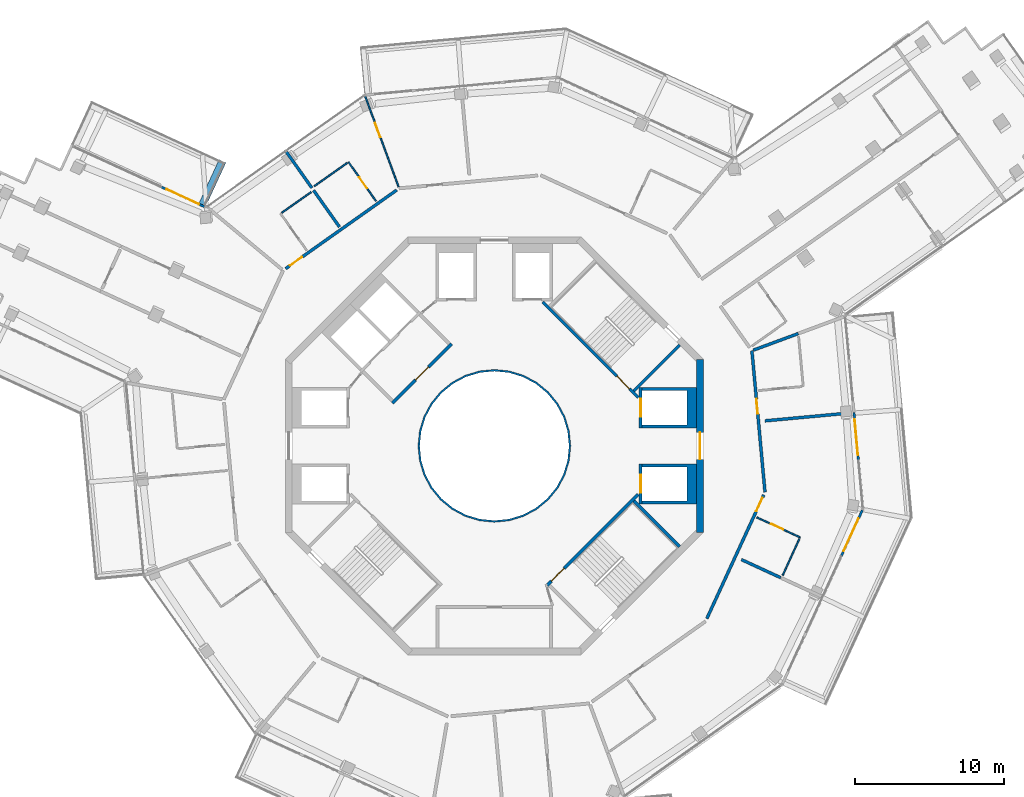
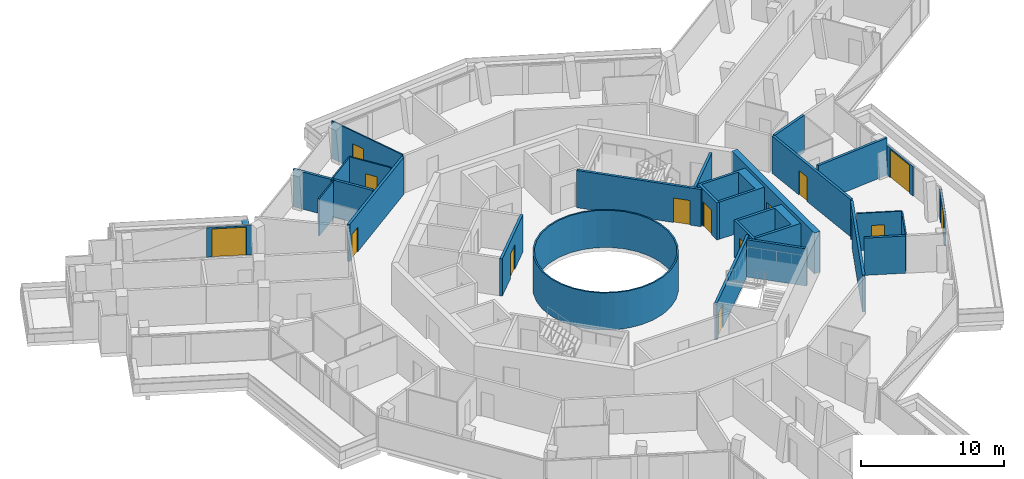
# One storey, part 20 of 25: 29 walls, 15 doors, 15 openings.
"""IFC4 building model written with IfcOpenShell, lengths in metres."""

import ifcopenshell
import ifcopenshell.guid

model = None  # the IFC model being written
_history = None  # IfcOwnerHistory: only IFC2X3 demands one
_inside = {}  # id of a spatial element -> (the spatial element, [elements in it])
_under = {}  # id of a project, library or spatial element -> (it, [spatial elements below it])
_declared = {}  # id of a project -> (the project, [libraries it declares])
_typed = {}  # id of a type object -> (the type object, [elements of that type])
_made_of = {}  # id of a material, layer set ... -> (it, [elements and type objects made of it])


def new_model(schema):
    """Start an empty IFC model of exactly this schema.

    Asked for "IFC4X3", IfcOpenShell would pick the latest addendum, in which some entities
    have other attributes; the version numbers below select the first issue.
    IFC2X3 requires an IfcOwnerHistory on every rooted entity: one is made here for all.
    """
    global model, _history
    if schema == "IFC4X3":
        model = ifcopenshell.file(schema_version=(4, 3, 0, 0))
    else:
        model = ifcopenshell.file(schema=schema)
    _inside.clear()
    _under.clear()
    _declared.clear()
    _typed.clear()
    _made_of.clear()
    _history = None
    if model.schema == "IFC2X3":
        org = make("IfcOrganization", Name="unknown")
        user = make(
            "IfcPersonAndOrganization",
            ThePerson=make("IfcPerson", FamilyName="unknown"),
            TheOrganization=org,
        )
        app = make(
            "IfcApplication",
            ApplicationDeveloper=org,
            Version="unknown",
            ApplicationFullName="unknown",
            ApplicationIdentifier="unknown",
        )
        _history = make(
            "IfcOwnerHistory",
            OwningUser=user,
            OwningApplication=app,
            ChangeAction="ADDED",
            CreationDate=0,
        )
    return model


def make(cls, **values):
    """One entity of the class cls with the attributes given. An attribute that is None is left unset."""
    return model.create_entity(
        cls, **{name: value for name, value in values.items() if value is not None}
    )


def rooted(cls, **values):
    """An entity with a GlobalId (a new one), such as an element, a storey or a relation."""
    return make(cls, GlobalId=ifcopenshell.guid.new(), OwnerHistory=_history, **values)


def si_unit(unit_type, name, prefix=None):
    """IfcSIUnit, for example si_unit("LENGTHUNIT", "METRE", prefix="MILLI")."""
    return make("IfcSIUnit", UnitType=unit_type, Prefix=prefix, Name=name)


def assignment(units):
    """IfcUnitAssignment: the units of a project."""
    return None if units is None else make("IfcUnitAssignment", Units=units)


def point(xyz):
    """IfcCartesianPoint."""
    return None if xyz is None else make("IfcCartesianPoint", Coordinates=xyz)


def direction(xyz):
    """IfcDirection."""
    return None if xyz is None else make("IfcDirection", DirectionRatios=xyz)


def frame(location, z_axis=None, x_axis=None):
    """IfcAxis2Placement3D, a coordinate frame: its origin and axes. An axis left out is left unset."""
    return make(
        "IfcAxis2Placement3D",
        Location=point(location),
        Axis=direction(z_axis),
        RefDirection=direction(x_axis),
    )


def frame_2d(location, x_axis=None):
    """IfcAxis2Placement2D, a coordinate frame in the plane: its origin and x axis."""
    return make(
        "IfcAxis2Placement2D", Location=point(location), RefDirection=direction(x_axis)
    )


def origin():
    """The frame at (0, 0, 0) with its axes left unset."""
    return frame((0.0, 0.0, 0.0))


def place(relative_to, where):
    """IfcLocalPlacement: puts the frame where relative to a parent placement (None: the world)."""
    return make(
        "IfcLocalPlacement", PlacementRelTo=relative_to, RelativePlacement=where
    )


def context(
    kind, dimensions, precision=None, world=None, true_north=None, identifier=None
):
    """IfcGeometricRepresentationContext, for example the 3D "Model" context."""
    return make(
        "IfcGeometricRepresentationContext",
        ContextIdentifier=identifier,
        ContextType=kind,
        CoordinateSpaceDimension=dimensions,
        Precision=precision,
        WorldCoordinateSystem=world,
        TrueNorth=true_north,
    )


def subcontext(parent, identifier, kind, view, scale=None):
    """IfcGeometricRepresentationSubContext, for example "Body" below "Model"."""
    return make(
        "IfcGeometricRepresentationSubContext",
        ContextIdentifier=identifier,
        ContextType=kind,
        ParentContext=parent,
        TargetScale=scale,
        TargetView=view,
    )


def project(units=None, contexts=None):
    """IfcProject with its units and contexts."""
    return rooted(
        "IfcProject",
        Name="project",
        RepresentationContexts=contexts,
        UnitsInContext=assignment(units),
    )


def spatial(cls, under=None, at=None, **own):
    """A site, building, storey or space (cls), placed at a placement, below another one or the project."""
    s = rooted(cls, ObjectPlacement=at, **own)
    if under is not None:
        _under.setdefault(under.id(), (under, []))[1].append(s)
    return s


def polyline(points):
    """IfcPolyline through the points."""
    return make("IfcPolyline", Points=[point(p) for p in points])


def profile(cls, at=None, kind="AREA", **sizes):
    """A parametric profile (cls). Its sizes go by their IFC names, for example OverallWidth=200.0."""
    return make(cls, ProfileType=kind, Position=at, **sizes)


def rectangle(**sizes):
    """IfcRectangleProfileDef."""
    return profile("IfcRectangleProfileDef", **sizes)


def outline(outer, holes=None, kind="AREA"):
    """IfcArbitraryClosedProfileDef: a profile drawn as a closed curve; with holes, ...WithVoids."""
    if holes is None:
        return make("IfcArbitraryClosedProfileDef", ProfileType=kind, OuterCurve=outer)
    return make(
        "IfcArbitraryProfileDefWithVoids",
        ProfileType=kind,
        OuterCurve=outer,
        InnerCurves=holes,
    )


def extrude(swept, where, along, depth):
    """IfcExtrudedAreaSolid: the profile swept, set in the frame where, extruded along a direction by depth."""
    return make(
        "IfcExtrudedAreaSolid",
        SweptArea=swept,
        Position=where,
        ExtrudedDirection=direction(along),
        Depth=depth,
    )


def shape(context_of_items, identifier, shape_type, items):
    """IfcShapeRepresentation: the items that make up one representation, for example the "Body"."""
    return make(
        "IfcShapeRepresentation",
        ContextOfItems=context_of_items,
        RepresentationIdentifier=identifier,
        RepresentationType=shape_type,
        Items=items,
    )


def material(Name=None, Category=None):
    """IfcMaterial."""
    return make("IfcMaterial", Name=Name, Category=Category)


def layer(
    of_material, thickness, ventilated=None, Name=None, Category=None, Priority=None
):
    """IfcMaterialLayer: one layer of a wall or slab, of a material (None: an air gap)."""
    return make(
        "IfcMaterialLayer",
        Material=of_material,
        LayerThickness=thickness,
        IsVentilated=ventilated,
        Name=Name,
        Category=Category,
        Priority=Priority,
    )


def layer_set(layers, Name=None):
    """IfcMaterialLayerSet."""
    return make("IfcMaterialLayerSet", MaterialLayers=layers, LayerSetName=Name)


def made_of(thing, what):
    """Note that an element or type object is made of a material, layer set ...; save() writes the relation."""
    if what is not None:
        _made_of.setdefault(what.id(), (what, []))[1].append(thing)
    return thing


def type_object(cls, material=None, **own):
    """A type object (cls), such as IfcWallType, which elements share."""
    return made_of(rooted(cls, **own), material)


def element(
    cls,
    number,
    at=None,
    inside=None,
    cuts=None,
    type_object=None,
    material=None,
    context=None,
    identifier="Body",
    shape_type=None,
    held_by="IfcProductDefinitionShape",
    body=None,
    shapes=None,
    **own,
):
    """One element of the class cls, such as IfcWall. Its Tag is "e" and its number.

    at: its placement. inside: the storey or other place that contains it. cuts: it is an
    opening in that element (IfcRelVoidsElement). A single representation is given by context,
    identifier, shape_type and body (its items); several are given by shapes. held_by: the class
    of the entity that holds the representations. save() writes the other relations.
    """
    e = rooted(cls, Tag="e%d" % number, ObjectPlacement=at, **own)
    if body is not None:
        shapes = [shape(context, identifier, shape_type, body)]
    if shapes is not None:
        e.Representation = make(held_by, Representations=shapes)
    if inside is not None:
        _inside.setdefault(inside.id(), (inside, []))[1].append(e)
    if cuts is not None:
        rooted(
            "IfcRelVoidsElement", RelatingBuildingElement=cuts, RelatedOpeningElement=e
        )
    if type_object is not None:
        _typed.setdefault(type_object.id(), (type_object, []))[1].append(e)
    return made_of(e, material)


def fill(opening, filler):
    """IfcRelFillsElement: the door or window that sits in an opening."""
    return rooted(
        "IfcRelFillsElement",
        RelatingOpeningElement=opening,
        RelatedBuildingElement=filler,
    )


def aggregate(whole, parts):
    """IfcRelAggregates: a whole, such as a stair, and the parts it consists of."""
    return rooted("IfcRelAggregates", RelatingObject=whole, RelatedObjects=parts)


def save(model, path):
    """Write the relations noted so far, then the file.

    IfcRelAggregates (storeys below a building ...), IfcRelContainedInSpatialStructure (elements
    in a storey), IfcRelDefinesByType, IfcRelAssociatesMaterial and IfcRelDeclares: one each for
    every whole, place, type object, material and project.
    """
    for whole, parts in _under.values():
        aggregate(whole, parts)
    for where, things in _inside.values():
        rooted(
            "IfcRelContainedInSpatialStructure",
            RelatedElements=things,
            RelatingStructure=where,
        )
    for kind, things in _typed.values():
        rooted("IfcRelDefinesByType", RelatedObjects=things, RelatingType=kind)
    for what, things in _made_of.values():
        rooted("IfcRelAssociatesMaterial", RelatedObjects=things, RelatingMaterial=what)
    for by, libraries in _declared.values():
        rooted("IfcRelDeclares", RelatingContext=by, RelatedDefinitions=libraries)
    model.write(path)


model = new_model("IFC4")

# Units and contexts
model_context = context("Model", 3, precision=1e-05, world=origin(), true_north=direction((0.0, 1.0)))
body_context = subcontext(model_context, "Body", "Model", "MODEL_VIEW")
ifc_project = project(units=[si_unit("LENGTHUNIT", "METRE"), si_unit("AREAUNIT", "SQUARE_METRE"), si_unit("VOLUMEUNIT", "CUBIC_METRE"), si_unit("PLANEANGLEUNIT", "RADIAN"), si_unit("MASSUNIT", "GRAM", prefix="KILO")], contexts=[model_context])

# Site, building, storey
site_placement = place(None, origin())
site = spatial("IfcSite", under=ifc_project, at=site_placement, CompositionType="ELEMENT")
building_placement = place(site_placement, origin())
building = spatial("IfcBuilding", under=site, at=building_placement, Name="Verdalira Terraces Hotel", CompositionType="ELEMENT")
storey_placement = place(building_placement, frame((0.0, 0.0, 299.5)))
storey = spatial("IfcBuildingStorey", under=building, at=storey_placement, Name="L74", CompositionType="ELEMENT", Elevation=299.5)

# Walls
ifc_material_1 = material(Name="Fire-resisting glass EI 180", Category="glass")
ifc_layer_1 = layer(ifc_material_1, 0.1201171875)
ifc_layer_set_1 = layer_set([ifc_layer_1], Name="Atrium fire screen 120 mm")
wall_type_1 = type_object("IfcWallType", Name="Atrium fire screen 120 mm", PredefinedType="SOLIDWALL", material=ifc_layer_set_1)
wall_1_placement = place(storey_placement, origin())
element("IfcWall", 1, at=wall_1_placement, inside=storey, type_object=wall_type_1, Name="Atrium fire screen", PredefinedType="SOLIDWALL", context=body_context, shape_type="SweptSolid", body=[
    extrude(outline(polyline([(5.021484, -0.998779), (4.730225, -1.959229), (4.25708, -2.844482), (3.620361, -3.620361), (2.844482, -4.25708), (1.959229, -4.730225), (0.998779, -5.021484), (0.0, -5.120117), (-0.998779, -5.021484), (-1.959229, -4.730225), (-2.844482, -4.25708), (-3.620361, -3.620361), (-4.25708, -2.844482), (-4.730225, -1.959229), (-5.021484, -0.998779), (-5.120117, 0.0), (-5.021484, 0.998779), (-4.730225, 1.959229), (-4.25708, 2.844482), (-3.620361, 3.620361), (-2.844482, 4.25708), (-1.959229, 4.730225), (-0.998779, 5.021484), (0.0, 5.120117), (0.998779, 5.021484), (1.959229, 4.730225), (2.844482, 4.25708), (3.620361, 3.620361), (4.25708, 2.844482), (4.730225, 1.959229), (5.021484, 0.998779), (5.120117, 0.0), (5.021484, -0.998779)]), holes=[polyline([(4.903809, 0.975586), (4.619385, 1.91333), (4.157227, 2.777832), (3.5354, 3.5354), (2.777832, 4.157227), (1.91333, 4.619385), (0.975586, 4.903809), (0.0, 5.0), (-0.975586, 4.903809), (-1.91333, 4.619385), (-2.777832, 4.157227), (-3.5354, 3.5354), (-4.157227, 2.777832), (-4.619385, 1.91333), (-4.903809, 0.975586), (-5.0, 0.0), (-4.903809, -0.975586), (-4.619385, -1.91333), (-4.157227, -2.777832), (-3.5354, -3.5354), (-2.777832, -4.157227), (-1.91333, -4.619385), (-0.975586, -4.903809), (0.0, -5.0), (0.975586, -4.903809), (1.91333, -4.619385), (2.777832, -4.157227), (3.5354, -3.5354), (4.157227, -2.777832), (4.619385, -1.91333), (4.903809, -0.975586), (5.0, 0.0), (4.903809, 0.975586)])]), origin(), (0.0, 0.0, 1.0), 3.189941),
])
ifc_material_2 = material(Name="Concrete C40", Category="concrete")
ifc_layer_2 = layer(ifc_material_2, 0.5)
ifc_layer_set_2 = layer_set([ifc_layer_2], Name="Balcony planter trough with tree")
wall_type_2 = type_object("IfcWallType", Name="Balcony planter trough with tree", PredefinedType="SOLIDWALL", material=ifc_layer_set_2)
wall_2_placement = place(storey_placement, frame((-19.543945, 16.154297, 0.0), z_axis=(0.0, 0.0, 1.0), x_axis=(0.418225571, 0.908343202, 0.0)))
element("IfcWall", 2, at=wall_2_placement, inside=storey, type_object=wall_type_2, Name="Balcony planter", PredefinedType="SOLIDWALL", context=body_context, shape_type="SweptSolid", body=[
    extrude(rectangle(XDim=3.198975, YDim=0.5, at=frame_2d((1.599609, 0.0))), origin(), (0.0, 0.0, 1.0), 0.699951),
])
ifc_material_3 = material(Name="Moisture-resistant gypsum board partition")
ifc_layer_3 = layer(ifc_material_3, 0.10009765625)
ifc_layer_set_3 = layer_set([ifc_layer_3], Name="Bathroom partition 100 mm")
wall_type_3 = type_object("IfcWallType", Name="Bathroom partition 100 mm", PredefinedType="PARTITIONING", material=ifc_layer_set_3)
wall_3_placement = place(storey_placement, frame((-14.227295, 15.607422, 0.0), z_axis=(0.0, 0.0, 1.0), x_axis=(0.816296303, 0.577633401, 0.0)))
element("IfcWall", 3, at=wall_3_placement, inside=storey, type_object=wall_type_3, Name="Bathroom partition", PredefinedType="PARTITIONING", context=body_context, shape_type="SweptSolid", body=[
    extrude(rectangle(XDim=2.399902, YDim=0.100098, at=frame_2d((1.199951, 0.0))), origin(), (0.0, 0.0, 1.0), 3.189941),
])
wall_4_placement = place(storey_placement, frame((-9.853027, 18.947266, 0.0), z_axis=(0.0, 0.0, 1.0), x_axis=(-0.816358447, -0.57754557, 0.0)))
element("IfcWall", 4, at=wall_4_placement, inside=storey, type_object=wall_type_3, Name="Bathroom partition", PredefinedType="PARTITIONING", context=body_context, shape_type="SweptSolid", body=[
    extrude(rectangle(XDim=2.699951, YDim=0.100098, at=frame_2d((1.350098, 0.0))), origin(), (0.0, 0.0, 1.0), 3.189941),
])

# Wall, opening, door
wall_5_placement = place(storey_placement, frame((-7.923096, 16.392822, 0.0), z_axis=(0.0, 0.0, 1.0), x_axis=(-0.577602382, 0.816318252, 0.0)))
wall_5 = element("IfcWall", 5, at=wall_5_placement, inside=storey, type_object=wall_type_3, Name="Bathroom partition", PredefinedType="PARTITIONING", context=body_context, shape_type="SweptSolid", body=[
    extrude(rectangle(XDim=3.200195, YDim=0.100098, at=frame_2d((1.600098, 0.0))), origin(), (0.0, 0.0, 1.0), 3.189941),
])
opening_1_placement = place(wall_5_placement, frame((1.050049, 0.0, 0.0)))
opening_1 = element("IfcOpeningElement", 6, at=opening_1_placement, cuts=wall_5, Name="Opening L74-131", PredefinedType="OPENING", context=body_context, shape_type="SweptSolid", body=[
    extrude(rectangle(XDim=0.899902, YDim=2.100098, at=frame_2d((0.449951, 1.050049))), frame((0.0, 0.060059, 0.0), z_axis=(0.0, -1.0, 0.0), x_axis=(1.0, 0.0, 0.0)), (0.0, 0.0, 1.0), 0.120117),
])
ifc_material_4 = material(Name="Timber door", Category="wood")
door_type_1 = type_object("IfcDoorType", Name="Bathroom door 900 x 2100", OperationType="NOTDEFINED", PredefinedType="DOOR", material=ifc_material_4)
door_1_placement = place(opening_1_placement, origin())
door_1 = element("IfcDoor", 7, at=door_1_placement, inside=storey, type_object=door_type_1, Name="Bathroom door 7412", OperationType="SINGLE_SWING_RIGHT", OverallHeight=2.10009765625, OverallWidth=0.89990234375, PredefinedType="DOOR", context=body_context, shape_type="SweptSolid", body=[
    extrude(rectangle(XDim=0.899902, YDim=2.100098, at=frame_2d((0.449951, 1.050049))), frame((0.0, 0.024902, 0.0), z_axis=(0.0, -1.0, 0.0), x_axis=(1.0, 0.0, 0.0)), (0.0, 0.0, 1.0), 0.050049),
])
fill(opening_1, door_1)

wall_6_placement = place(storey_placement, frame((-6.408203, 17.342285, 0.0), z_axis=(0.0, 0.0, 1.0), x_axis=(-0.346624181, 0.938004092, 0.0)))
wall_6 = element("IfcWall", 8, at=wall_6_placement, inside=storey, type_object=wall_type_3, Name="Bathroom partition", PredefinedType="PARTITIONING", context=body_context, shape_type="SweptSolid", body=[
    extrude(rectangle(XDim=6.475586, YDim=0.100098, at=frame_2d((3.237793, 0.0))), origin(), (0.0, 0.0, 1.0), 3.189941),
])
opening_2_placement = place(wall_6_placement, frame((3.550049, 0.0, 0.0)))
opening_2 = element("IfcOpeningElement", 9, at=opening_2_placement, cuts=wall_6, Name="Opening L74-130", PredefinedType="OPENING", context=body_context, shape_type="SweptSolid", body=[
    extrude(rectangle(XDim=1.0, YDim=2.100098, at=frame_2d((0.5, 1.050049))), frame((0.0, 0.060059, 0.0), z_axis=(0.0, -1.0, 0.0), x_axis=(1.0, 0.0, 0.0)), (0.0, 0.0, 1.0), 0.120117),
])
ifc_material_5 = material(Name="Timber door", Category="wood")
door_type_2 = type_object("IfcDoorType", Name="Suite internal door 1000 x 2100", OperationType="NOTDEFINED", PredefinedType="DOOR", material=ifc_material_5)
door_2_placement = place(opening_2_placement, origin())
door_2 = element("IfcDoor", 10, at=door_2_placement, inside=storey, type_object=door_type_2, Name="Suite internal door 7412", OperationType="SINGLE_SWING_LEFT", OverallHeight=2.10009765625, OverallWidth=1.0, PredefinedType="DOOR", context=body_context, shape_type="SweptSolid", body=[
    extrude(rectangle(XDim=1.0, YDim=2.100098, at=frame_2d((0.5, 1.050049))), frame((0.0, 0.024902, 0.0), z_axis=(0.0, -1.0, 0.0), x_axis=(1.0, 0.0, 0.0)), (0.0, 0.0, 1.0), 0.050049),
])
fill(opening_2, door_2)

wall_7_placement = place(storey_placement, frame((20.474121, -6.123047, 0.0), z_axis=(0.0, 0.0, 1.0), x_axis=(-0.908380936, 0.418143606, 0.0)))
wall_7 = element("IfcWall", 11, at=wall_7_placement, inside=storey, type_object=wall_type_3, Name="Bathroom partition", PredefinedType="PARTITIONING", context=body_context, shape_type="SweptSolid", body=[
    extrude(rectangle(XDim=3.200195, YDim=0.100098, at=frame_2d((1.600098, 0.0))), origin(), (0.0, 0.0, 1.0), 3.189941),
])
opening_3_placement = place(wall_7_placement, frame((1.25, 0.0, 0.0)))
opening_3 = element("IfcOpeningElement", 12, at=opening_3_placement, cuts=wall_7, Name="Opening L74-119", PredefinedType="OPENING", context=body_context, shape_type="SweptSolid", body=[
    extrude(rectangle(XDim=0.899902, YDim=2.100098, at=frame_2d((0.449951, 1.050049))), frame((0.0, 0.060059, 0.0), z_axis=(0.0, -1.0, 0.0), x_axis=(1.0, 0.0, 0.0)), (0.0, 0.0, 1.0), 0.120117),
])
door_3_placement = place(opening_3_placement, origin())
door_3 = element("IfcDoor", 13, at=door_3_placement, inside=storey, type_object=door_type_1, Name="Bathroom door 7407", OperationType="SINGLE_SWING_LEFT", OverallHeight=2.10009765625, OverallWidth=0.89990234375, PredefinedType="DOOR", context=body_context, shape_type="SweptSolid", body=[
    extrude(rectangle(XDim=0.899902, YDim=2.100098, at=frame_2d((0.449951, 1.050049))), frame((0.0, 0.024902, 0.0), z_axis=(0.0, -1.0, 0.0), x_axis=(1.0, 0.0, 0.0)), (0.0, 0.0, 1.0), 0.050049),
])
fill(opening_3, door_3)

# Walls
wall_8_placement = place(storey_placement, frame((20.432129, -6.213867, 0.0), z_axis=(0.0, 0.0, 1.0), x_axis=(-0.418192161, -0.908358584, 0.0)))
element("IfcWall", 14, at=wall_8_placement, inside=storey, type_object=wall_type_3, Name="Bathroom partition", PredefinedType="PARTITIONING", context=body_context, shape_type="SweptSolid", body=[
    extrude(rectangle(XDim=2.700195, YDim=0.100098, at=frame_2d((1.350098, 0.0))), origin(), (0.0, 0.0, 1.0), 3.189941),
])
ifc_material_6 = material(Name="Concrete C50", Category="concrete")
ifc_layer_4 = layer(ifc_material_6, 0.199951171875)
ifc_layer_set_4 = layer_set([ifc_layer_4], Name="Core RC wall 200 C50")
wall_type_4 = type_object("IfcWallType", Name="Core RC wall 200 C50", PredefinedType="SOLIDWALL", material=ifc_layer_set_4)
wall_9_placement = place(storey_placement, origin())
element("IfcWall", 15, at=wall_9_placement, inside=storey, type_object=wall_type_4, Name="L74 shaft wall E1", PredefinedType="SOLIDWALL", context=body_context, shape_type="SweptSolid", body=[
    extrude(outline(polyline([(13.550049, -3.899902), (9.899902, -3.899902), (9.899902, -3.699951), (12.899902, -3.699951), (12.899902, -1.399902), (9.899902, -1.399902), (9.899902, -1.199951), (13.550049, -1.199951), (13.550049, -3.899902)])), origin(), (0.0, 0.0, 1.0), 3.189941),
])

# Wall, opening, door
wall_10_placement = place(storey_placement, frame((9.800049, -1.199951, 0.0), z_axis=(0.0, 0.0, 1.0), x_axis=(0.0, -1.0, 0.0)))
wall_10 = element("IfcWall", 16, at=wall_10_placement, inside=storey, type_object=wall_type_4, Name="L74 shaft front wall E1", PredefinedType="SOLIDWALL", context=body_context, shape_type="SweptSolid", body=[
    extrude(rectangle(XDim=2.699951, YDim=0.199951, at=frame_2d((1.350098, 0.0))), origin(), (0.0, 0.0, 1.0), 3.189941),
])
opening_4_placement = place(wall_10_placement, frame((0.75, 0.0, 0.0)))
opening_4 = element("IfcOpeningElement", 17, at=opening_4_placement, cuts=wall_10, Name="Opening LD-L74-802", PredefinedType="OPENING", context=body_context, shape_type="SweptSolid", body=[
    extrude(rectangle(XDim=1.199951, YDim=2.100098, at=frame_2d((0.600098, 1.050049))), frame((0.0, 0.109863, 0.0), z_axis=(0.0, -1.0, 0.0), x_axis=(1.0, 0.0, 0.0)), (0.0, 0.0, 1.0), 0.219971),
])
ifc_material_7 = material(Name="Stainless steel", Category="steel")
door_type_3 = type_object("IfcDoorType", Name="Landing door 1200 x 2100", OperationType="NOTDEFINED", PredefinedType="DOOR", material=ifc_material_7)
door_4_placement = place(opening_4_placement, origin())
door_4 = element("IfcDoor", 18, at=door_4_placement, inside=storey, type_object=door_type_3, Name="Lift landing door HR1 L74", OperationType="DOUBLE_DOOR_SLIDING", OverallHeight=2.10009765625, OverallWidth=1.199951171875, PredefinedType="DOOR", context=body_context, shape_type="SweptSolid", body=[
    extrude(rectangle(XDim=1.199951, YDim=2.100098, at=frame_2d((0.600098, 1.050049))), frame((0.0, 0.024902, 0.0), z_axis=(0.0, -1.0, 0.0), x_axis=(1.0, 0.0, 0.0)), (0.0, 0.0, 1.0), 0.050049),
])
fill(opening_4, door_4)

# Wall
wall_11_placement = place(storey_placement, origin())
element("IfcWall", 19, at=wall_11_placement, inside=storey, type_object=wall_type_4, Name="L74 shaft wall E2", PredefinedType="SOLIDWALL", context=body_context, shape_type="SweptSolid", body=[
    extrude(outline(polyline([(13.550049, 3.899902), (13.550049, 1.199951), (9.899902, 1.199951), (9.899902, 1.399902), (12.899902, 1.399902), (12.899902, 3.699951), (9.899902, 3.699951), (9.899902, 3.899902), (13.550049, 3.899902)])), origin(), (0.0, 0.0, 1.0), 3.189941),
])

# Wall, opening, door
wall_12_placement = place(storey_placement, frame((9.800049, 1.199951, 0.0), z_axis=(0.0, 0.0, 1.0), x_axis=(0.0, 1.0, 0.0)))
wall_12 = element("IfcWall", 20, at=wall_12_placement, inside=storey, type_object=wall_type_4, Name="L74 shaft front wall E2", PredefinedType="SOLIDWALL", context=body_context, shape_type="SweptSolid", body=[
    extrude(rectangle(XDim=2.699951, YDim=0.199951, at=frame_2d((1.350098, 0.0))), origin(), (0.0, 0.0, 1.0), 3.189941),
])
opening_5_placement = place(wall_12_placement, frame((0.75, 0.0, 0.0)))
opening_5 = element("IfcOpeningElement", 21, at=opening_5_placement, cuts=wall_12, Name="Opening LD-L74-803", PredefinedType="OPENING", context=body_context, shape_type="SweptSolid", body=[
    extrude(rectangle(XDim=1.199951, YDim=2.100098, at=frame_2d((0.600098, 1.050049))), frame((0.0, 0.109863, 0.0), z_axis=(0.0, -1.0, 0.0), x_axis=(1.0, 0.0, 0.0)), (0.0, 0.0, 1.0), 0.219971),
])
door_5_placement = place(opening_5_placement, origin())
door_5 = element("IfcDoor", 22, at=door_5_placement, inside=storey, type_object=door_type_3, Name="Lift landing door HR2 L74", OperationType="DOUBLE_DOOR_SLIDING", OverallHeight=2.10009765625, OverallWidth=1.199951171875, PredefinedType="DOOR", context=body_context, shape_type="SweptSolid", body=[
    extrude(rectangle(XDim=1.199951, YDim=2.100098, at=frame_2d((0.600098, 1.050049))), frame((0.0, 0.024902, 0.0), z_axis=(0.0, -1.0, 0.0), x_axis=(1.0, 0.0, 0.0)), (0.0, 0.0, 1.0), 0.050049),
])
fill(opening_5, door_5)

wall_13_placement = place(storey_placement, frame((3.23999, 9.629395, 0.0), z_axis=(0.0, 0.0, 1.0), x_axis=(0.707106781, -0.707106781, 0.0)))
wall_13 = element("IfcWall", 23, at=wall_13_placement, inside=storey, type_object=wall_type_4, Name="L74 stair ST1 front wall", PredefinedType="SOLIDWALL", context=body_context, shape_type="SweptSolid", body=[
    extrude(rectangle(XDim=9.035889, YDim=0.199951, at=frame_2d((4.518066, 0.0))), origin(), (0.0, 0.0, 1.0), 3.189941),
])
opening_6_placement = place(wall_13_placement, frame((7.017822, 0.0, 0.0)))
opening_6 = element("IfcOpeningElement", 24, at=opening_6_placement, cuts=wall_13, Name="Opening L74-810", PredefinedType="OPENING", context=body_context, shape_type="SweptSolid", body=[
    extrude(rectangle(XDim=1.199951, YDim=2.100098, at=frame_2d((0.600098, 1.050049))), frame((0.0, 0.109863, 0.0), z_axis=(0.0, -1.0, 0.0), x_axis=(1.0, 0.0, 0.0)), (0.0, 0.0, 1.0), 0.219971),
])
ifc_material_8 = material(Name="Steel fire door", Category="steel")
door_type_4 = type_object("IfcDoorType", Name="Stair door 1200 x 2100", OperationType="NOTDEFINED", PredefinedType="DOOR", material=ifc_material_8)
door_6_placement = place(opening_6_placement, origin())
door_6 = element("IfcDoor", 25, at=door_6_placement, inside=storey, type_object=door_type_4, Name="Stair door ST1 L74", OperationType="SINGLE_SWING_RIGHT", OverallHeight=2.10009765625, OverallWidth=1.199951171875, PredefinedType="DOOR", context=body_context, shape_type="SweptSolid", body=[
    extrude(rectangle(XDim=1.199951, YDim=2.100098, at=frame_2d((0.600098, 1.050049))), frame((0.0, 0.024902, 0.0), z_axis=(0.0, -1.0, 0.0), x_axis=(1.0, 0.0, 0.0)), (0.0, 0.0, 1.0), 0.050049),
])
fill(opening_6, door_6)

# Wall
wall_14_placement = place(storey_placement, frame((9.33374, 3.677002, 0.0), z_axis=(0.0, 0.0, 1.0), x_axis=(0.707106781, 0.707106781, 0.0)))
element("IfcWall", 26, at=wall_14_placement, inside=storey, type_object=wall_type_4, Name="L74 stair ST1 end wall 1", PredefinedType="SOLIDWALL", context=body_context, shape_type="SweptSolid", body=[
    extrude(rectangle(XDim=4.350098, YDim=0.199951, at=frame_2d((2.175049, 0.0))), origin(), (0.0, 0.0, 1.0), 3.189941),
])

# Wall, opening, door
wall_15_placement = place(storey_placement, frame((9.629395, -3.23999, 0.0), z_axis=(0.0, 0.0, 1.0), x_axis=(-0.707120946, -0.707092617, 0.0)))
wall_15 = element("IfcWall", 27, at=wall_15_placement, inside=storey, type_object=wall_type_4, Name="L74 stair ST3 front wall", PredefinedType="SOLIDWALL", context=body_context, shape_type="SweptSolid", body=[
    extrude(rectangle(XDim=8.61792, YDim=0.199951, at=frame_2d((4.309082, 0.0))), origin(), (0.0, 0.0, 1.0), 3.189941),
])
opening_7_placement = place(wall_15_placement, frame((7.017822, 0.0, 0.0)))
opening_7 = element("IfcOpeningElement", 28, at=opening_7_placement, cuts=wall_15, Name="Opening L74-812", PredefinedType="OPENING", context=body_context, shape_type="SweptSolid", body=[
    extrude(rectangle(XDim=1.199951, YDim=2.100098, at=frame_2d((0.600098, 1.050049))), frame((0.0, 0.109863, 0.0), z_axis=(0.0, -1.0, 0.0), x_axis=(1.0, 0.0, 0.0)), (0.0, 0.0, 1.0), 0.219971),
])
door_7_placement = place(opening_7_placement, origin())
door_7 = element("IfcDoor", 29, at=door_7_placement, inside=storey, type_object=door_type_4, Name="Stair door ST3 L74", OperationType="SINGLE_SWING_RIGHT", OverallHeight=2.10009765625, OverallWidth=1.199951171875, PredefinedType="DOOR", context=body_context, shape_type="SweptSolid", body=[
    extrude(rectangle(XDim=1.199951, YDim=2.100098, at=frame_2d((0.600098, 1.050049))), frame((0.0, 0.024902, 0.0), z_axis=(0.0, -1.0, 0.0), x_axis=(1.0, 0.0, 0.0)), (0.0, 0.0, 1.0), 0.050049),
])
fill(opening_7, door_7)

# Wall
wall_16_placement = place(storey_placement, frame((9.33374, -3.677002, 0.0), z_axis=(0.0, 0.0, 1.0), x_axis=(0.707106781, -0.707106781, 0.0)))
element("IfcWall", 30, at=wall_16_placement, inside=storey, type_object=wall_type_4, Name="L74 stair ST3 end wall 2", PredefinedType="SOLIDWALL", context=body_context, shape_type="SweptSolid", body=[
    extrude(rectangle(XDim=4.350098, YDim=0.199951, at=frame_2d((2.175049, 0.0))), origin(), (0.0, 0.0, 1.0), 3.189941),
])

# Wall, opening, door
wall_17_placement = place(storey_placement, frame((-2.86377, 6.823486, 0.0), z_axis=(0.0, 0.0, 1.0), x_axis=(-0.707106781, -0.707106781, 0.0)))
wall_17 = element("IfcWall", 31, at=wall_17_placement, inside=storey, type_object=wall_type_4, Name="L74 fire lobby wall", PredefinedType="SOLIDWALL", context=body_context, shape_type="SweptSolid", body=[
    extrude(rectangle(XDim=5.599854, YDim=0.199951, at=frame_2d((2.799805, 0.0))), origin(), (0.0, 0.0, 1.0), 3.189941),
])
opening_8_placement = place(wall_17_placement, frame((2.199951, 0.0, 0.0)))
opening_8 = element("IfcOpeningElement", 32, at=opening_8_placement, cuts=wall_17, Name="Opening L74-819", PredefinedType="OPENING", context=body_context, shape_type="SweptSolid", body=[
    extrude(rectangle(XDim=1.199951, YDim=2.100098, at=frame_2d((0.600098, 1.050049))), frame((0.0, 0.109863, 0.0), z_axis=(0.0, -1.0, 0.0), x_axis=(1.0, 0.0, 0.0)), (0.0, 0.0, 1.0), 0.219971),
])
ifc_material_9 = material(Name="Steel fire door", Category="steel")
door_type_5 = type_object("IfcDoorType", Name="Lobby door 1200 x 2100", OperationType="NOTDEFINED", PredefinedType="DOOR", material=ifc_material_9)
door_8_placement = place(opening_8_placement, origin())
door_8 = element("IfcDoor", 33, at=door_8_placement, inside=storey, type_object=door_type_5, Name="Fire lobby door L74", OperationType="SINGLE_SWING_LEFT", OverallHeight=2.10009765625, OverallWidth=1.199951171875, PredefinedType="DOOR", context=body_context, shape_type="SweptSolid", body=[
    extrude(rectangle(XDim=1.199951, YDim=2.100098, at=frame_2d((0.600098, 1.050049))), frame((0.0, 0.024902, 0.0), z_axis=(0.0, -1.0, 0.0), x_axis=(1.0, 0.0, 0.0)), (0.0, 0.0, 1.0), 0.050049),
])
fill(opening_8, door_8)

ifc_material_10 = material(Name="Concrete C50", Category="concrete")
ifc_layer_5 = layer(ifc_material_10, 0.449951171875)
ifc_layer_set_5 = layer_set([ifc_layer_5], Name="Core wall 450 C50")
wall_type_5 = type_object("IfcWallType", Name="Core wall 450 C50", PredefinedType="SHEAR", material=ifc_layer_set_5)
wall_18_placement = place(storey_placement, frame((13.774902, -5.799072, 0.0), z_axis=(0.0, 0.0, 1.0), x_axis=(0.0, 1.0, 0.0)))
wall_18 = element("IfcWall", 34, at=wall_18_placement, inside=storey, type_object=wall_type_5, Name="Core wall CW-L74-1", PredefinedType="SHEAR", context=body_context, shape_type="SweptSolid", body=[
    extrude(rectangle(XDim=11.598145, YDim=0.449951, at=frame_2d((5.799072, 0.0))), origin(), (0.0, 0.0, 1.0), 3.5),
])
opening_9_placement = place(wall_18_placement, frame((4.898926, 0.0, 0.0)))
opening_9 = element("IfcOpeningElement", 35, at=opening_9_placement, cuts=wall_18, Name="Opening L74-813", PredefinedType="OPENING", context=body_context, shape_type="SweptSolid", body=[
    extrude(rectangle(XDim=1.800049, YDim=2.100098, at=frame_2d((0.899902, 1.050049))), frame((0.0, 0.234863, 0.0), z_axis=(0.0, -1.0, 0.0), x_axis=(1.0, 0.0, 0.0)), (0.0, 0.0, 1.0), 0.469971),
])
ifc_material_11 = material(Name="Steel fire door", Category="steel")
door_type_6 = type_object("IfcDoorType", Name="Core entry door pair 1800 x 2100", OperationType="NOTDEFINED", PredefinedType="DOOR", material=ifc_material_11)
door_9_placement = place(opening_9_placement, origin())
door_9 = element("IfcDoor", 36, at=door_9_placement, inside=storey, type_object=door_type_6, Name="Core entry door L74 0", OperationType="DOUBLE_DOOR_SINGLE_SWING", OverallHeight=2.10009765625, OverallWidth=1.800048828125, PredefinedType="DOOR", context=body_context, shape_type="SweptSolid", body=[
    extrude(rectangle(XDim=1.800049, YDim=2.100098, at=frame_2d((0.899902, 1.050049))), frame((0.0, 0.024902, 0.0), z_axis=(0.0, -1.0, 0.0), x_axis=(1.0, 0.0, 0.0)), (0.0, 0.0, 1.0), 0.050049),
])
fill(opening_9, door_9)

# Walls
ifc_material_12 = material(Name="Fire-rated gypsum board wall")
ifc_layer_6 = layer(ifc_material_12, 0.199951171875)
ifc_layer_set_6 = layer_set([ifc_layer_6], Name="Demising wall 200 mm")
wall_type_6 = type_object("IfcWallType", Name="Demising wall 200 mm", PredefinedType="SOLIDWALL", material=ifc_layer_set_6)
wall_19_placement = place(storey_placement, frame((-12.220459, 17.272461, 0.0), z_axis=(0.0, 0.0, 1.0), x_axis=(-0.577576384, 0.816336646, 0.0)))
element("IfcWall", 37, at=wall_19_placement, inside=storey, type_object=wall_type_6, Name="Demising wall", PredefinedType="SOLIDWALL", context=body_context, shape_type="SweptSolid", body=[
    extrude(rectangle(XDim=2.949951, YDim=0.199951, at=frame_2d((1.475098, 0.0))), origin(), (0.0, 0.0, 1.0), 3.189941),
])
wall_20_placement = place(storey_placement, frame((-10.372314, 14.660156, 0.0), z_axis=(0.0, 0.0, 1.0), x_axis=(-0.57760883, 0.81631369, 0.0)))
element("IfcWall", 38, at=wall_20_placement, inside=storey, type_object=wall_type_6, Name="Demising wall", PredefinedType="SOLIDWALL", context=body_context, shape_type="SweptSolid", body=[
    extrude(rectangle(XDim=3.001953, YDim=0.199951, at=frame_2d((1.500977, 0.0))), origin(), (0.0, 0.0, 1.0), 3.189941),
])
wall_21_placement = place(storey_placement, frame((16.537354, -7.613281, 0.0), z_axis=(0.0, 0.0, 1.0), x_axis=(0.908369787, -0.418167825, 0.0)))
element("IfcWall", 39, at=wall_21_placement, inside=storey, type_object=wall_type_6, Name="Demising wall", PredefinedType="SOLIDWALL", context=body_context, shape_type="SweptSolid", body=[
    extrude(rectangle(XDim=2.904541, YDim=0.199951, at=frame_2d((1.452148, 0.0))), origin(), (0.0, 0.0, 1.0), 3.189941),
])
wall_22_placement = place(storey_placement, frame((17.342285, 6.408203, 0.0), z_axis=(0.0, 0.0, 1.0), x_axis=(0.938012781, 0.346600667, 0.0)))
element("IfcWall", 40, at=wall_22_placement, inside=storey, type_object=wall_type_6, Name="Demising wall", PredefinedType="SOLIDWALL", context=body_context, shape_type="SweptSolid", body=[
    extrude(rectangle(XDim=3.209229, YDim=0.199951, at=frame_2d((1.604492, 0.0))), origin(), (0.0, 0.0, 1.0), 3.189941),
])
wall_23_placement = place(storey_placement, frame((18.128418, 1.675293, 0.0), z_axis=(0.0, 0.0, 1.0), x_axis=(0.995756481, 0.092027338, 0.0)))
element("IfcWall", 41, at=wall_23_placement, inside=storey, type_object=wall_type_6, Name="Demising wall", PredefinedType="SOLIDWALL", context=body_context, shape_type="SweptSolid", body=[
    extrude(rectangle(XDim=5.902832, YDim=0.199951, at=frame_2d((2.951416, 0.0))), origin(), (0.0, 0.0, 1.0), 3.189941),
])

# Wall, opening, door
ifc_material_13 = material(Name="Fire-rated gypsum board wall")
ifc_layer_7 = layer(ifc_material_13, 0.199951171875)
ifc_layer_set_7 = layer_set([ifc_layer_7], Name="Guest corridor wall 200 mm")
wall_type_7 = type_object("IfcWallType", Name="Guest corridor wall 200 mm", PredefinedType="SOLIDWALL", material=ifc_layer_set_7)
wall_24_placement = place(storey_placement, frame((-13.977783, 11.864014, 0.0), z_axis=(0.0, 0.0, 1.0), x_axis=(0.8163291, 0.57758705, 0.0)))
wall_24 = element("IfcWall", 42, at=wall_24_placement, inside=storey, type_object=wall_type_7, Name="Guest corridor wall", PredefinedType="SOLIDWALL", context=body_context, shape_type="SweptSolid", body=[
    extrude(rectangle(XDim=9.116699, YDim=0.199951, at=frame_2d((4.55835, 0.0))), origin(), (0.0, 0.0, 1.0), 3.189941),
])
opening_10_placement = place(wall_24_placement, frame((0.350098, 0.0, 0.0)))
opening_10 = element("IfcOpeningElement", 43, at=opening_10_placement, cuts=wall_24, Name="Opening L74-132", PredefinedType="OPENING", context=body_context, shape_type="SweptSolid", body=[
    extrude(rectangle(XDim=1.0, YDim=2.100098, at=frame_2d((0.5, 1.050049))), frame((0.0, 0.109863, 0.0), z_axis=(0.0, -1.0, 0.0), x_axis=(1.0, 0.0, 0.0)), (0.0, 0.0, 1.0), 0.219971),
])
ifc_material_14 = material(Name="Timber fire door", Category="wood")
door_type_7 = type_object("IfcDoorType", Name="Guest entry door 1000 x 2100", OperationType="NOTDEFINED", PredefinedType="DOOR", material=ifc_material_14)
door_10_placement = place(opening_10_placement, origin())
door_10 = element("IfcDoor", 44, at=door_10_placement, inside=storey, type_object=door_type_7, Name="Guest entry door 7413", OperationType="SINGLE_SWING_LEFT", OverallHeight=2.10009765625, OverallWidth=1.0, PredefinedType="DOOR", context=body_context, shape_type="SweptSolid", body=[
    extrude(rectangle(XDim=1.0, YDim=2.100098, at=frame_2d((0.5, 1.050049))), frame((0.0, 0.024902, 0.0), z_axis=(0.0, -1.0, 0.0), x_axis=(1.0, 0.0, 0.0)), (0.0, 0.0, 1.0), 0.050049),
])
fill(opening_10, door_10)

wall_25_placement = place(storey_placement, frame((18.037109, -3.286133, 0.0), z_axis=(0.0, 0.0, 1.0), x_axis=(-0.418184999, -0.908361881, 0.0)))
wall_25 = element("IfcWall", 45, at=wall_25_placement, inside=storey, type_object=wall_type_7, Name="Guest corridor wall", PredefinedType="SOLIDWALL", context=body_context, shape_type="SweptSolid", body=[
    extrude(rectangle(XDim=9.115723, YDim=0.199951, at=frame_2d((4.557861, 0.0))), origin(), (0.0, 0.0, 1.0), 3.189941),
])
opening_11_placement = place(wall_25_placement, frame((0.199951, 0.0, 0.0)))
opening_11 = element("IfcOpeningElement", 46, at=opening_11_placement, cuts=wall_25, Name="Opening L74-118", PredefinedType="OPENING", context=body_context, shape_type="SweptSolid", body=[
    extrude(rectangle(XDim=1.0, YDim=2.100098, at=frame_2d((0.5, 1.050049))), frame((0.0, 0.109863, 0.0), z_axis=(0.0, -1.0, 0.0), x_axis=(1.0, 0.0, 0.0)), (0.0, 0.0, 1.0), 0.219971),
])
door_11_placement = place(opening_11_placement, origin())
door_11 = element("IfcDoor", 47, at=door_11_placement, inside=storey, type_object=door_type_7, Name="Guest entry door 7407", OperationType="SINGLE_SWING_LEFT", OverallHeight=2.10009765625, OverallWidth=1.0, PredefinedType="DOOR", context=body_context, shape_type="SweptSolid", body=[
    extrude(rectangle(XDim=1.0, YDim=2.100098, at=frame_2d((0.5, 1.050049))), frame((0.0, 0.024902, 0.0), z_axis=(0.0, -1.0, 0.0), x_axis=(1.0, 0.0, 0.0)), (0.0, 0.0, 1.0), 0.050049),
])
fill(opening_11, door_11)

wall_26_placement = place(storey_placement, frame((17.245117, 6.372314, 0.0), z_axis=(0.0, 0.0, 1.0), x_axis=(0.092025331, -0.995756666, 0.0)))
wall_26 = element("IfcWall", 48, at=wall_26_placement, inside=storey, type_object=wall_type_7, Name="Guest corridor wall", PredefinedType="SOLIDWALL", context=body_context, shape_type="SweptSolid", body=[
    extrude(rectangle(XDim=9.516113, YDim=0.199951, at=frame_2d((4.758057, 0.0))), origin(), (0.0, 0.0, 1.0), 3.189941),
])
opening_12_placement = place(wall_26_placement, frame((3.25, 0.0, 0.0)))
opening_12 = element("IfcOpeningElement", 49, at=opening_12_placement, cuts=wall_26, Name="Opening L74-120", PredefinedType="OPENING", context=body_context, shape_type="SweptSolid", body=[
    extrude(rectangle(XDim=1.0, YDim=2.100098, at=frame_2d((0.5, 1.050049))), frame((0.0, 0.109863, 0.0), z_axis=(0.0, -1.0, 0.0), x_axis=(1.0, 0.0, 0.0)), (0.0, 0.0, 1.0), 0.219971),
])
door_12_placement = place(opening_12_placement, origin())
door_12 = element("IfcDoor", 50, at=door_12_placement, inside=storey, type_object=door_type_7, Name="Guest entry door 7408", OperationType="SINGLE_SWING_RIGHT", OverallHeight=2.10009765625, OverallWidth=1.0, PredefinedType="DOOR", context=body_context, shape_type="SweptSolid", body=[
    extrude(rectangle(XDim=1.0, YDim=2.100098, at=frame_2d((0.5, 1.050049))), frame((0.0, 0.024902, 0.0), z_axis=(0.0, -1.0, 0.0), x_axis=(1.0, 0.0, 0.0)), (0.0, 0.0, 1.0), 0.050049),
])
fill(opening_12, door_12)

ifc_material_15 = material(Name="Terracotta cladding", Category="masonry")
ifc_layer_8 = layer(ifc_material_15, 0.14990234375)
ifc_layer_set_8 = layer_set([ifc_layer_8], Name="Terracotta door pier 150")
wall_type_8 = type_object("IfcWallType", Name="Terracotta door pier 150", PredefinedType="SOLIDWALL", material=ifc_layer_set_8)
wall_27_placement = place(storey_placement, frame((-19.412109, 16.01001, 0.0), z_axis=(0.0, 0.0, 1.0), x_axis=(-0.908367596, 0.418172585, 0.0)))
wall_27 = element("IfcWall", 51, at=wall_27_placement, inside=storey, type_object=wall_type_8, Name="Terracotta door pier", PredefinedType="SOLIDWALL", context=body_context, shape_type="SweptSolid", body=[
    extrude(rectangle(XDim=3.199951, YDim=0.149902, at=frame_2d((1.600098, 0.0))), origin(), (0.0, 0.0, 1.0), 2.524902),
])
opening_13_placement = place(wall_27_placement, frame((0.399902, 0.0, 0.0)))
opening_13 = element("IfcOpeningElement", 52, at=opening_13_placement, cuts=wall_27, Name="Opening L74-B01", PredefinedType="OPENING", context=body_context, shape_type="SweptSolid", body=[
    extrude(rectangle(XDim=2.399902, YDim=2.399902, at=frame_2d((1.199951, 1.199951))), frame((0.0, 0.084961, 0.0), z_axis=(0.0, -1.0, 0.0), x_axis=(1.0, 0.0, 0.0)), (0.0, 0.0, 1.0), 0.169922),
])
ifc_material_16 = material(Name="Clear glass", Category="glass")
door_type_8 = type_object("IfcDoorType", Name="Balcony sliding door 2400x2400", OperationType="NOTDEFINED", PredefinedType="DOOR", material=ifc_material_16)
door_13_placement = place(opening_13_placement, origin())
door_13 = element("IfcDoor", 53, at=door_13_placement, inside=storey, type_object=door_type_8, Name="Balcony sliding door", OperationType="SLIDING_TO_LEFT", OverallHeight=2.39990234375, OverallWidth=2.39990234375, PredefinedType="DOOR", context=body_context, shape_type="SweptSolid", body=[
    extrude(rectangle(XDim=2.399902, YDim=2.399902, at=frame_2d((1.199951, 1.199951))), frame((0.0, 0.024902, 0.0), z_axis=(0.0, -1.0, 0.0), x_axis=(1.0, 0.0, 0.0)), (0.0, 0.0, 1.0), 0.050049),
])
fill(opening_13, door_13)

wall_28_placement = place(storey_placement, frame((23.210449, -7.412354, 0.0), z_axis=(0.0, 0.0, 1.0), x_axis=(0.418226657, 0.908342701, 0.0)))
wall_28 = element("IfcWall", 54, at=wall_28_placement, inside=storey, type_object=wall_type_8, Name="Terracotta door pier", PredefinedType="SOLIDWALL", context=body_context, shape_type="SweptSolid", body=[
    extrude(rectangle(XDim=3.426514, YDim=0.149902, at=frame_2d((1.713379, 0.0))), origin(), (0.0, 0.0, 1.0), 2.524902),
])
opening_14_placement = place(wall_28_placement, frame((0.399902, 0.0, 0.0)))
opening_14 = element("IfcOpeningElement", 55, at=opening_14_placement, cuts=wall_28, Name="Opening L74-B12", PredefinedType="OPENING", context=body_context, shape_type="SweptSolid", body=[
    extrude(rectangle(XDim=2.399902, YDim=2.399902, at=frame_2d((1.199951, 1.199951))), frame((0.0, 0.084961, 0.0), z_axis=(0.0, -1.0, 0.0), x_axis=(1.0, 0.0, 0.0)), (0.0, 0.0, 1.0), 0.169922),
])
door_14_placement = place(opening_14_placement, origin())
door_14 = element("IfcDoor", 56, at=door_14_placement, inside=storey, type_object=door_type_8, Name="Balcony sliding door", OperationType="SLIDING_TO_RIGHT", OverallHeight=2.39990234375, OverallWidth=2.39990234375, PredefinedType="DOOR", context=body_context, shape_type="SweptSolid", body=[
    extrude(rectangle(XDim=2.399902, YDim=2.399902, at=frame_2d((1.199951, 1.199951))), frame((0.0, 0.024902, 0.0), z_axis=(0.0, -1.0, 0.0), x_axis=(1.0, 0.0, 0.0)), (0.0, 0.0, 1.0), 0.050049),
])
fill(opening_14, door_14)

wall_29_placement = place(storey_placement, frame((24.379883, -1.010742, 0.0), z_axis=(0.0, 0.0, 1.0), x_axis=(-0.092025791, 0.995756624, 0.0)))
wall_29 = element("IfcWall", 57, at=wall_29_placement, inside=storey, type_object=wall_type_8, Name="Terracotta door pier", PredefinedType="SOLIDWALL", context=body_context, shape_type="SweptSolid", body=[
    extrude(rectangle(XDim=3.249756, YDim=0.149902, at=frame_2d((1.625, 0.0))), origin(), (0.0, 0.0, 1.0), 2.524902),
])
opening_15_placement = place(wall_29_placement, frame((0.399902, 0.0, 0.0)))
opening_15 = element("IfcOpeningElement", 58, at=opening_15_placement, cuts=wall_29, Name="Opening L74-B13", PredefinedType="OPENING", context=body_context, shape_type="SweptSolid", body=[
    extrude(rectangle(XDim=2.399902, YDim=2.399902, at=frame_2d((1.199951, 1.199951))), frame((0.0, 0.084961, 0.0), z_axis=(0.0, -1.0, 0.0), x_axis=(1.0, 0.0, 0.0)), (0.0, 0.0, 1.0), 0.169922),
])
door_15_placement = place(opening_15_placement, origin())
door_15 = element("IfcDoor", 59, at=door_15_placement, inside=storey, type_object=door_type_8, Name="Balcony sliding door", OperationType="SLIDING_TO_RIGHT", OverallHeight=2.39990234375, OverallWidth=2.39990234375, PredefinedType="DOOR", context=body_context, shape_type="SweptSolid", body=[
    extrude(rectangle(XDim=2.399902, YDim=2.399902, at=frame_2d((1.199951, 1.199951))), frame((0.0, 0.024902, 0.0), z_axis=(0.0, -1.0, 0.0), x_axis=(1.0, 0.0, 0.0)), (0.0, 0.0, 1.0), 0.050049),
])
fill(opening_15, door_15)

save(model, "model.ifc")
